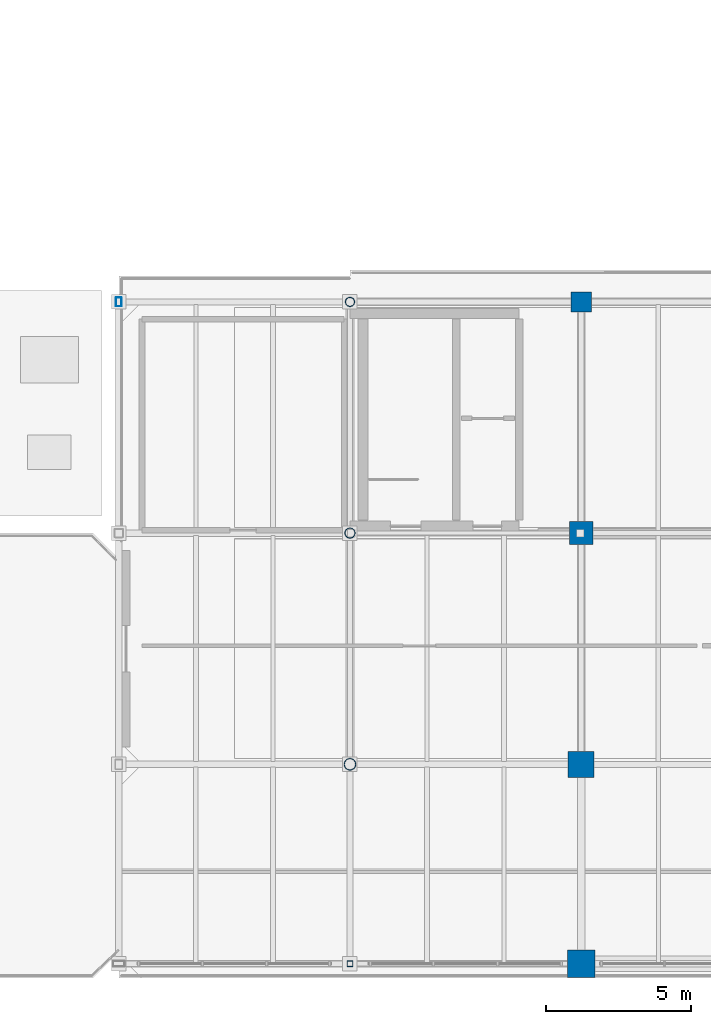
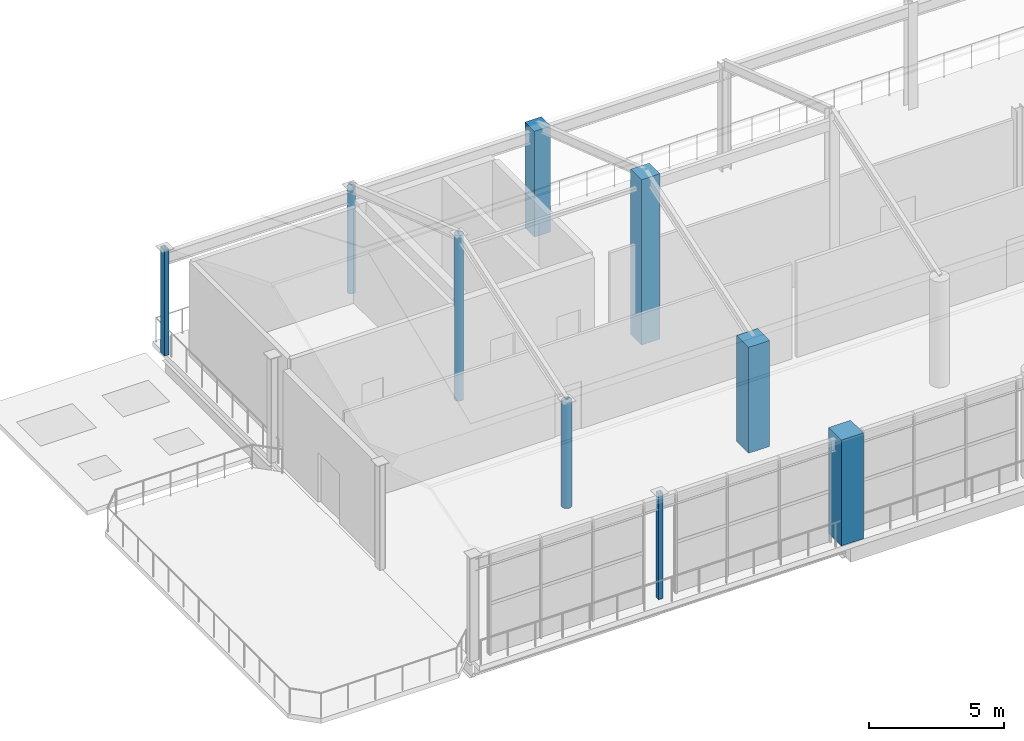
# One storey, part 6 of 51: 9 columns.
"""IFC4 building model written with IfcOpenShell, lengths in metres."""

from ifc_helpers import new_model, si_unit, direction, frame, origin, origin_2d, place, context, subcontext, project, spatial, rectangle, hollow_rectangle, hollow_circle, extrude, material, material_profile, profile_set, type_object, element, save


model = new_model("IFC4")

# Units and contexts
model_context = context("Model", 3, precision=1e-05, world=origin(), true_north=direction((0.0, 1.0)))
body_context = subcontext(model_context, "Body", "Model", "MODEL_VIEW")
ifc_project = project(units=[si_unit("LENGTHUNIT", "METRE"), si_unit("AREAUNIT", "SQUARE_METRE"), si_unit("VOLUMEUNIT", "CUBIC_METRE"), si_unit("PLANEANGLEUNIT", "RADIAN"), si_unit("MASSUNIT", "GRAM", prefix="KILO")], contexts=[model_context])

# Site, building, storey
site_placement = place(None, origin())
site = spatial("IfcSite", under=ifc_project, at=site_placement, CompositionType="ELEMENT")
building_placement = place(site_placement, origin())
building = spatial("IfcBuilding", under=site, at=building_placement, Name="Brisemont Oceanarium", CompositionType="ELEMENT")
storey_placement = place(building_placement, frame((0.0, 0.0, 15.0)))
storey = spatial("IfcBuildingStorey", under=building, at=storey_placement, Name="L03", CompositionType="ELEMENT", Elevation=15.0)

# Columns
ifc_material_1 = material(Name="Structural Steel ASTM A500 Gr.C", Category="steel")
ifc_material_profile_1 = material_profile(ifc_material_1, hollow_circle(Radius=0.162109375, WallThickness=0.01171875, at=origin_2d()), Name="HSS12.750X0.500")
ifc_profile_set_1 = profile_set([ifc_material_profile_1], Name="Structural Steel ASTM A500 Gr.C")
column_type_1 = type_object("IfcColumnType", Name="COL-CHS12", PredefinedType="COLUMN", material=ifc_profile_set_1)
column_1_placement = place(storey_placement, frame((128.0, 24.0, 0.0), z_axis=(0.0, 0.0, 1.0), x_axis=(0.0, 1.0, 0.0)))
element("IfcColumn", 1, at=column_1_placement, inside=storey, type_object=column_type_1, Name="V3 L03 column (2,3)", PredefinedType="COLUMN", context=body_context, shape_type="SweptSolid", body=[
    extrude(hollow_circle(Radius=0.162109375, WallThickness=0.01171875, at=origin_2d()), origin(), (0.0, 0.0, 1.0), 4.800048828125),
])
ifc_material_2 = material(Name="Structural Steel ASTM A500 Gr.C", Category="steel")
ifc_material_profile_2 = material_profile(ifc_material_2, hollow_circle(Radius=0.177978515625, WallThickness=0.01171875, at=origin_2d()), Name="HSS14.000X0.500")
ifc_profile_set_2 = profile_set([ifc_material_profile_2], Name="Structural Steel ASTM A500 Gr.C")
column_type_2 = type_object("IfcColumnType", Name="COL-CHS14", PredefinedType="COLUMN", material=ifc_profile_set_2)
column_2_placement = place(storey_placement, frame((128.0, 16.0, 0.0), z_axis=(0.0, 0.0, 1.0), x_axis=(1.0, 0.0, 0.0)))
element("IfcColumn", 2, at=column_2_placement, inside=storey, type_object=column_type_2, Name="V3 L03 column (2,2)", PredefinedType="COLUMN", context=body_context, shape_type="SweptSolid", body=[
    extrude(hollow_circle(Radius=0.177978515625, WallThickness=0.01171875, at=origin_2d()), origin(), (0.0, 0.0, 1.0), 7.5),
])
ifc_material_3 = material(Name="Structural Steel ASTM A500 Gr.C", Category="steel")
ifc_material_profile_3 = material_profile(ifc_material_3, hollow_circle(Radius=0.202880859375, WallThickness=0.01171875, at=origin_2d()), Name="HSS16.000X0.500")
ifc_profile_set_3 = profile_set([ifc_material_profile_3], Name="Structural Steel ASTM A500 Gr.C")
column_type_3 = type_object("IfcColumnType", Name="COL-CHS16", PredefinedType="COLUMN", material=ifc_profile_set_3)
column_3_placement = place(storey_placement, frame((128.0, 8.0, 0.0), z_axis=(0.0, 0.0, 1.0), x_axis=(0.0, 1.0, 0.0)))
element("IfcColumn", 3, at=column_3_placement, inside=storey, type_object=column_type_3, Name="V3 L03 column (2,1)", PredefinedType="COLUMN", context=body_context, shape_type="SweptSolid", body=[
    extrude(hollow_circle(Radius=0.202880859375, WallThickness=0.01171875, at=origin_2d()), origin(), (0.0, 0.0, 1.0), 4.800048828125),
])
ifc_material_4 = material(Name="Structural Steel ASTM A500 Gr.C", Category="steel")
ifc_material_profile_4 = material_profile(ifc_material_4, hollow_rectangle(XDim=0.202880859375, YDim=0.304931640625, WallThickness=0.0087890625, InnerFilletRadius=0.009033203125, OuterFilletRadius=0.01806640625, at=origin_2d()), Name="HSS12X8X3/8")
ifc_profile_set_4 = profile_set([ifc_material_profile_4], Name="Structural Steel ASTM A500 Gr.C")
column_type_4 = type_object("IfcColumnType", Name="COL-HSS12X8", PredefinedType="COLUMN", material=ifc_profile_set_4)
column_4_placement = place(storey_placement, frame((120.0, 24.0, 0.0), z_axis=(0.0, 0.0, 1.0), x_axis=(1.0, 0.0, 0.0)))
element("IfcColumn", 4, at=column_4_placement, inside=storey, type_object=column_type_4, Name="V3 L03 column (1,3)", PredefinedType="COLUMN", context=body_context, shape_type="SweptSolid", body=[
    extrude(hollow_rectangle(XDim=0.202880859375, YDim=0.304931640625, WallThickness=0.0087890625, InnerFilletRadius=0.009033203125, OuterFilletRadius=0.01806640625, at=origin_2d()), origin(), (0.0, 0.0, 1.0), 4.800048828125),
])
ifc_material_5 = material(Name="Structural Steel ASTM A500 Gr.C", Category="steel")
ifc_material_profile_5 = material_profile(ifc_material_5, hollow_rectangle(XDim=0.202880859375, YDim=0.202880859375, WallThickness=0.0087890625, InnerFilletRadius=0.009033203125, OuterFilletRadius=0.01806640625, at=origin_2d()), Name="HSS8X8X3/8")
ifc_profile_set_5 = profile_set([ifc_material_profile_5], Name="Structural Steel ASTM A500 Gr.C")
column_type_5 = type_object("IfcColumnType", Name="COL-HSS8X8", PredefinedType="COLUMN", material=ifc_profile_set_5)
column_5_placement = place(storey_placement, frame((128.0, 1.10009765625, 0.0), z_axis=(0.0, 0.0, 1.0), x_axis=(1.0, 0.0, 0.0)))
element("IfcColumn", 5, at=column_5_placement, inside=storey, type_object=column_type_5, Name="V3 L03 column (2,0)", PredefinedType="COLUMN", context=body_context, shape_type="SweptSolid", body=[
    extrude(hollow_rectangle(XDim=0.202880859375, YDim=0.202880859375, WallThickness=0.0087890625, InnerFilletRadius=0.009033203125, OuterFilletRadius=0.01806640625, at=origin_2d()), origin(), (0.0, 0.0, 1.0), 4.800048828125),
])
ifc_material_6 = material(Name="Concrete C35/45", Category="concrete")
ifc_material_profile_6 = material_profile(ifc_material_6, rectangle(XDim=0.699951171875, YDim=0.699951171875, at=origin_2d()), Name="RC-COL-700X700")
ifc_profile_set_6 = profile_set([ifc_material_profile_6], Name="Concrete C35/45")
column_type_6 = type_object("IfcColumnType", Name="COL-RC700", PredefinedType="COLUMN", material=ifc_profile_set_6)
column_6_placement = place(storey_placement, frame((136.0, 24.0, 0.0), z_axis=(0.0, 0.0, 1.0), x_axis=(1.0, 0.0, 0.0)))
element("IfcColumn", 6, at=column_6_placement, inside=storey, type_object=column_type_6, Name="V3 L03 column (3,3)", PredefinedType="COLUMN", context=body_context, shape_type="SweptSolid", body=[
    extrude(rectangle(XDim=0.699951171875, YDim=0.699951171875, at=origin_2d()), origin(), (0.0, 0.0, 1.0), 4.800048828125),
])
ifc_material_7 = material(Name="Concrete C40/50", Category="concrete")
ifc_material_profile_7 = material_profile(ifc_material_7, rectangle(XDim=0.800048828125, YDim=0.800048828125, at=origin_2d()), Name="RC-COL-800X800")
ifc_profile_set_7 = profile_set([ifc_material_profile_7], Name="Concrete C40/50")
column_type_7 = type_object("IfcColumnType", Name="COL-RC800", PredefinedType="COLUMN", material=ifc_profile_set_7)
column_7_placement = place(storey_placement, frame((136.0, 16.0, 0.0), z_axis=(0.0, 0.0, 1.0), x_axis=(0.0, 1.0, 0.0)))
element("IfcColumn", 7, at=column_7_placement, inside=storey, type_object=column_type_7, Name="V3 L03 column (3,2)", PredefinedType="COLUMN", context=body_context, shape_type="SweptSolid", body=[
    extrude(rectangle(XDim=0.800048828125, YDim=0.800048828125, at=origin_2d()), origin(), (0.0, 0.0, 1.0), 7.5),
])
ifc_material_8 = material(Name="Concrete C40/50", Category="concrete")
ifc_material_profile_8 = material_profile(ifc_material_8, rectangle(XDim=0.89990234375, YDim=0.89990234375, at=origin_2d()), Name="RC-COL-900X900")
ifc_profile_set_8 = profile_set([ifc_material_profile_8], Name="Concrete C40/50")
column_type_8 = type_object("IfcColumnType", Name="COL-RC900", PredefinedType="COLUMN", material=ifc_profile_set_8)
column_8_placement = place(storey_placement, frame((136.0, 8.0, 0.0), z_axis=(0.0, 0.0, 1.0), x_axis=(1.0, 0.0, 0.0)))
element("IfcColumn", 8, at=column_8_placement, inside=storey, type_object=column_type_8, Name="V3 L03 column (3,1)", PredefinedType="COLUMN", context=body_context, shape_type="SweptSolid", body=[
    extrude(rectangle(XDim=0.89990234375, YDim=0.89990234375, at=origin_2d()), origin(), (0.0, 0.0, 1.0), 4.800048828125),
])
ifc_material_9 = material(Name="Concrete C40/50", Category="concrete")
ifc_material_profile_9 = material_profile(ifc_material_9, rectangle(XDim=0.949951171875, YDim=0.949951171875, at=origin_2d()), Name="RC-COL-950X950")
ifc_profile_set_9 = profile_set([ifc_material_profile_9], Name="Concrete C40/50")
column_type_9 = type_object("IfcColumnType", Name="COL-RC950", PredefinedType="COLUMN", material=ifc_profile_set_9)
column_9_placement = place(storey_placement, frame((136.0, 1.10009765625, 0.0), z_axis=(0.0, 0.0, 1.0), x_axis=(0.0, 1.0, 0.0)))
element("IfcColumn", 9, at=column_9_placement, inside=storey, type_object=column_type_9, Name="V3 L03 column (3,0)", PredefinedType="COLUMN", context=body_context, shape_type="SweptSolid", body=[
    extrude(rectangle(XDim=0.949951171875, YDim=0.949951171875, at=origin_2d()), origin(), (0.0, 0.0, 1.0), 4.800048828125),
])

save(model, "model.ifc")
